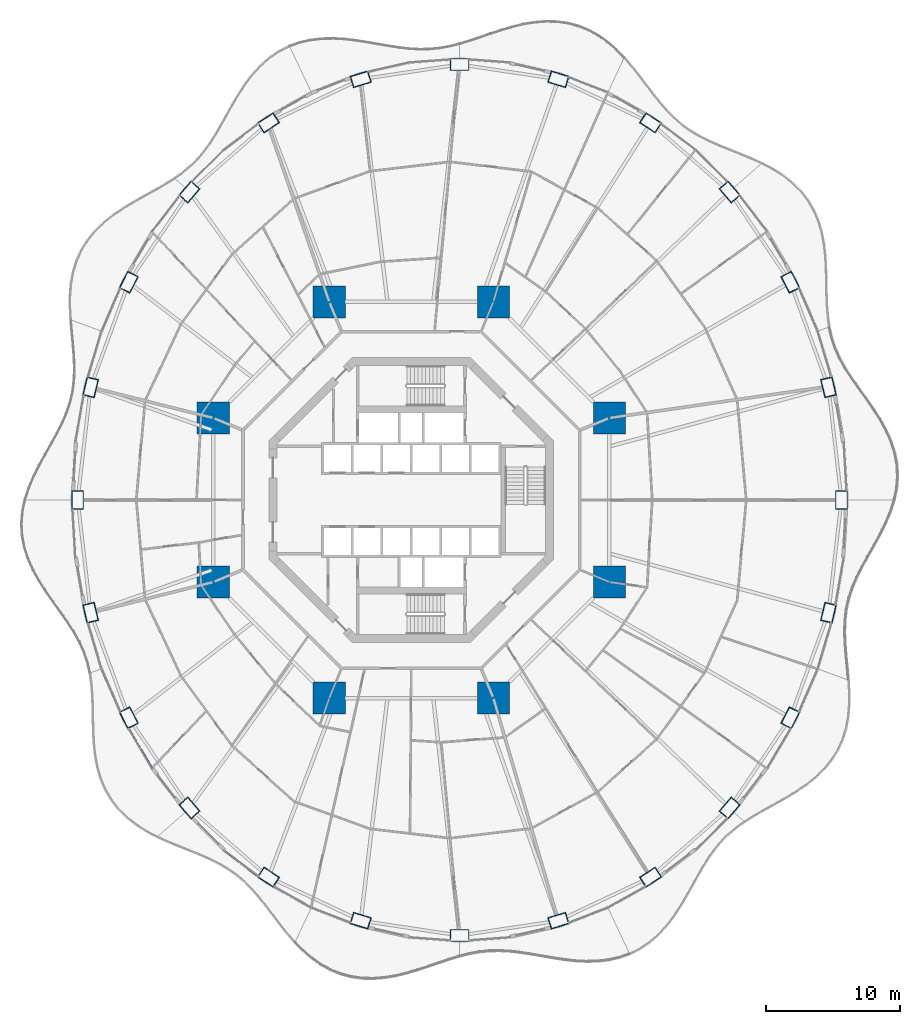
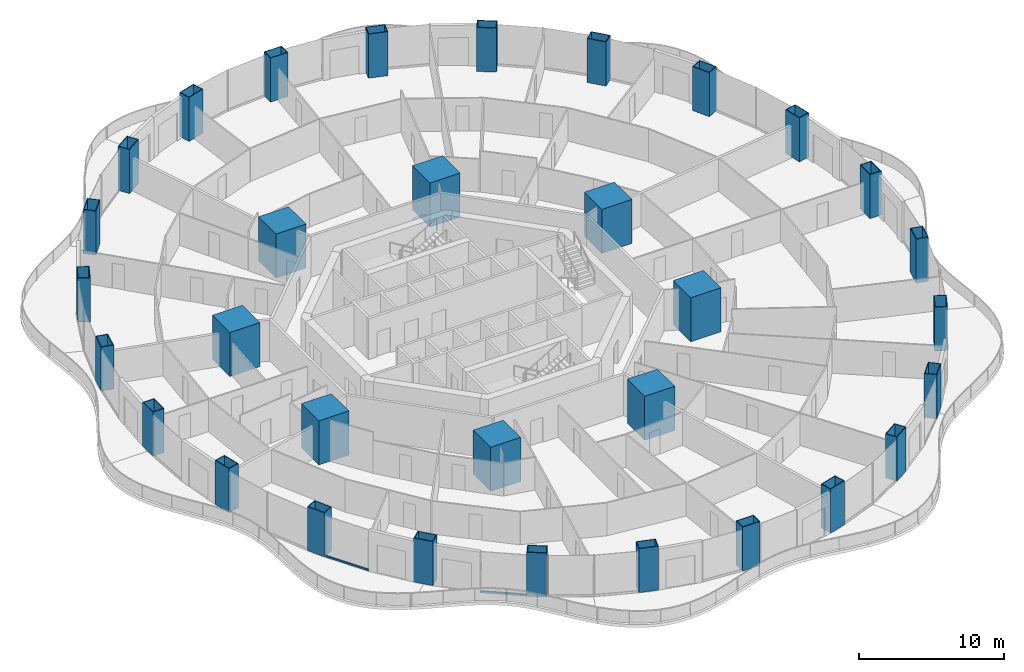
# One storey, part 1 of 22: 32 columns, 2 members, 2 elements without a shape of their own.
"""IFC4 building model written with IfcOpenShell, lengths in metres."""

import ifcopenshell
import ifcopenshell.guid

model = None  # the IFC model being written
_history = None  # IfcOwnerHistory: only IFC2X3 demands one
_inside = {}  # id of a spatial element -> (the spatial element, [elements in it])
_under = {}  # id of a project, library or spatial element -> (it, [spatial elements below it])
_declared = {}  # id of a project -> (the project, [libraries it declares])
_typed = {}  # id of a type object -> (the type object, [elements of that type])
_made_of = {}  # id of a material, layer set ... -> (it, [elements and type objects made of it])


def new_model(schema):
    """Start an empty IFC model of exactly this schema.

    Asked for "IFC4X3", IfcOpenShell would pick the latest addendum, in which some entities
    have other attributes; the version numbers below select the first issue.
    IFC2X3 requires an IfcOwnerHistory on every rooted entity: one is made here for all.
    """
    global model, _history
    if schema == "IFC4X3":
        model = ifcopenshell.file(schema_version=(4, 3, 0, 0))
    else:
        model = ifcopenshell.file(schema=schema)
    _inside.clear()
    _under.clear()
    _declared.clear()
    _typed.clear()
    _made_of.clear()
    _history = None
    if model.schema == "IFC2X3":
        org = make("IfcOrganization", Name="unknown")
        user = make(
            "IfcPersonAndOrganization",
            ThePerson=make("IfcPerson", FamilyName="unknown"),
            TheOrganization=org,
        )
        app = make(
            "IfcApplication",
            ApplicationDeveloper=org,
            Version="unknown",
            ApplicationFullName="unknown",
            ApplicationIdentifier="unknown",
        )
        _history = make(
            "IfcOwnerHistory",
            OwningUser=user,
            OwningApplication=app,
            ChangeAction="ADDED",
            CreationDate=0,
        )
    return model


def make(cls, **values):
    """One entity of the class cls with the attributes given. An attribute that is None is left unset."""
    return model.create_entity(
        cls, **{name: value for name, value in values.items() if value is not None}
    )


def rooted(cls, **values):
    """An entity with a GlobalId (a new one), such as an element, a storey or a relation."""
    return make(cls, GlobalId=ifcopenshell.guid.new(), OwnerHistory=_history, **values)


def si_unit(unit_type, name, prefix=None):
    """IfcSIUnit, for example si_unit("LENGTHUNIT", "METRE", prefix="MILLI")."""
    return make("IfcSIUnit", UnitType=unit_type, Prefix=prefix, Name=name)


def assignment(units):
    """IfcUnitAssignment: the units of a project."""
    return None if units is None else make("IfcUnitAssignment", Units=units)


def point(xyz):
    """IfcCartesianPoint."""
    return None if xyz is None else make("IfcCartesianPoint", Coordinates=xyz)


def direction(xyz):
    """IfcDirection."""
    return None if xyz is None else make("IfcDirection", DirectionRatios=xyz)


def frame(location, z_axis=None, x_axis=None):
    """IfcAxis2Placement3D, a coordinate frame: its origin and axes. An axis left out is left unset."""
    return make(
        "IfcAxis2Placement3D",
        Location=point(location),
        Axis=direction(z_axis),
        RefDirection=direction(x_axis),
    )


def frame_2d(location, x_axis=None):
    """IfcAxis2Placement2D, a coordinate frame in the plane: its origin and x axis."""
    return make(
        "IfcAxis2Placement2D", Location=point(location), RefDirection=direction(x_axis)
    )


def origin():
    """The frame at (0, 0, 0) with its axes left unset."""
    return frame((0.0, 0.0, 0.0))


def origin_2d():
    """The frame at (0, 0) in the plane with its x axis left unset."""
    return frame_2d((0.0, 0.0))


def place(relative_to, where):
    """IfcLocalPlacement: puts the frame where relative to a parent placement (None: the world)."""
    return make(
        "IfcLocalPlacement", PlacementRelTo=relative_to, RelativePlacement=where
    )


def context(
    kind, dimensions, precision=None, world=None, true_north=None, identifier=None
):
    """IfcGeometricRepresentationContext, for example the 3D "Model" context."""
    return make(
        "IfcGeometricRepresentationContext",
        ContextIdentifier=identifier,
        ContextType=kind,
        CoordinateSpaceDimension=dimensions,
        Precision=precision,
        WorldCoordinateSystem=world,
        TrueNorth=true_north,
    )


def subcontext(parent, identifier, kind, view, scale=None):
    """IfcGeometricRepresentationSubContext, for example "Body" below "Model"."""
    return make(
        "IfcGeometricRepresentationSubContext",
        ContextIdentifier=identifier,
        ContextType=kind,
        ParentContext=parent,
        TargetScale=scale,
        TargetView=view,
    )


def project(units=None, contexts=None):
    """IfcProject with its units and contexts."""
    return rooted(
        "IfcProject",
        Name="project",
        RepresentationContexts=contexts,
        UnitsInContext=assignment(units),
    )


def spatial(cls, under=None, at=None, **own):
    """A site, building, storey or space (cls), placed at a placement, below another one or the project."""
    s = rooted(cls, ObjectPlacement=at, **own)
    if under is not None:
        _under.setdefault(under.id(), (under, []))[1].append(s)
    return s


def profile(cls, at=None, kind="AREA", **sizes):
    """A parametric profile (cls). Its sizes go by their IFC names, for example OverallWidth=200.0."""
    return make(cls, ProfileType=kind, Position=at, **sizes)


def rectangle(**sizes):
    """IfcRectangleProfileDef."""
    return profile("IfcRectangleProfileDef", **sizes)


def hollow_rectangle(**sizes):
    """IfcRectangleHollowProfileDef."""
    return profile("IfcRectangleHollowProfileDef", **sizes)


def extrude(swept, where, along, depth):
    """IfcExtrudedAreaSolid: the profile swept, set in the frame where, extruded along a direction by depth."""
    return make(
        "IfcExtrudedAreaSolid",
        SweptArea=swept,
        Position=where,
        ExtrudedDirection=direction(along),
        Depth=depth,
    )


def shape(context_of_items, identifier, shape_type, items):
    """IfcShapeRepresentation: the items that make up one representation, for example the "Body"."""
    return make(
        "IfcShapeRepresentation",
        ContextOfItems=context_of_items,
        RepresentationIdentifier=identifier,
        RepresentationType=shape_type,
        Items=items,
    )


def material(Name=None, Category=None):
    """IfcMaterial."""
    return make("IfcMaterial", Name=Name, Category=Category)


def layer(
    of_material, thickness, ventilated=None, Name=None, Category=None, Priority=None
):
    """IfcMaterialLayer: one layer of a wall or slab, of a material (None: an air gap)."""
    return make(
        "IfcMaterialLayer",
        Material=of_material,
        LayerThickness=thickness,
        IsVentilated=ventilated,
        Name=Name,
        Category=Category,
        Priority=Priority,
    )


def layer_set(layers, Name=None):
    """IfcMaterialLayerSet."""
    return make("IfcMaterialLayerSet", MaterialLayers=layers, LayerSetName=Name)


def material_profile(
    of_material, cross_section, Name=None, Category=None, Priority=None
):
    """IfcMaterialProfile: a cross section and its material."""
    return make(
        "IfcMaterialProfile",
        Name=Name,
        Material=of_material,
        Profile=cross_section,
        Priority=Priority,
        Category=Category,
    )


def profile_set(profiles, Name=None, composite=None):
    """IfcMaterialProfileSet."""
    return make(
        "IfcMaterialProfileSet",
        Name=Name,
        MaterialProfiles=profiles,
        CompositeProfile=composite,
    )


def made_of(thing, what):
    """Note that an element or type object is made of a material, layer set ...; save() writes the relation."""
    if what is not None:
        _made_of.setdefault(what.id(), (what, []))[1].append(thing)
    return thing


def type_object(cls, material=None, **own):
    """A type object (cls), such as IfcWallType, which elements share."""
    return made_of(rooted(cls, **own), material)


def element(
    cls,
    number,
    at=None,
    inside=None,
    cuts=None,
    type_object=None,
    material=None,
    context=None,
    identifier="Body",
    shape_type=None,
    held_by="IfcProductDefinitionShape",
    body=None,
    shapes=None,
    **own,
):
    """One element of the class cls, such as IfcWall. Its Tag is "e" and its number.

    at: its placement. inside: the storey or other place that contains it. cuts: it is an
    opening in that element (IfcRelVoidsElement). A single representation is given by context,
    identifier, shape_type and body (its items); several are given by shapes. held_by: the class
    of the entity that holds the representations. save() writes the other relations.
    """
    e = rooted(cls, Tag="e%d" % number, ObjectPlacement=at, **own)
    if body is not None:
        shapes = [shape(context, identifier, shape_type, body)]
    if shapes is not None:
        e.Representation = make(held_by, Representations=shapes)
    if inside is not None:
        _inside.setdefault(inside.id(), (inside, []))[1].append(e)
    if cuts is not None:
        rooted(
            "IfcRelVoidsElement", RelatingBuildingElement=cuts, RelatedOpeningElement=e
        )
    if type_object is not None:
        _typed.setdefault(type_object.id(), (type_object, []))[1].append(e)
    return made_of(e, material)


def aggregate(whole, parts):
    """IfcRelAggregates: a whole, such as a stair, and the parts it consists of."""
    return rooted("IfcRelAggregates", RelatingObject=whole, RelatedObjects=parts)


def save(model, path):
    """Write the relations noted so far, then the file.

    IfcRelAggregates (storeys below a building ...), IfcRelContainedInSpatialStructure (elements
    in a storey), IfcRelDefinesByType, IfcRelAssociatesMaterial and IfcRelDeclares: one each for
    every whole, place, type object, material and project.
    """
    for whole, parts in _under.values():
        aggregate(whole, parts)
    for where, things in _inside.values():
        rooted(
            "IfcRelContainedInSpatialStructure",
            RelatedElements=things,
            RelatingStructure=where,
        )
    for kind, things in _typed.values():
        rooted("IfcRelDefinesByType", RelatedObjects=things, RelatingType=kind)
    for what, things in _made_of.values():
        rooted("IfcRelAssociatesMaterial", RelatedObjects=things, RelatingMaterial=what)
    for by, libraries in _declared.values():
        rooted("IfcRelDeclares", RelatingContext=by, RelatedDefinitions=libraries)
    model.write(path)


model = new_model("IFC4")

# Units and contexts
model_context = context("Model", 3, precision=1e-05, world=origin(), true_north=direction((0.0, 1.0)))
body_context = subcontext(model_context, "Body", "Model", "MODEL_VIEW")
ifc_project = project(units=[si_unit("LENGTHUNIT", "METRE"), si_unit("AREAUNIT", "SQUARE_METRE"), si_unit("VOLUMEUNIT", "CUBIC_METRE"), si_unit("PLANEANGLEUNIT", "RADIAN"), si_unit("MASSUNIT", "GRAM", prefix="KILO")], contexts=[model_context])

# Site, building, storey
site_placement = place(None, origin())
site = spatial("IfcSite", under=ifc_project, at=site_placement, CompositionType="ELEMENT")
building_placement = place(site_placement, origin())
building = spatial("IfcBuilding", under=site, at=building_placement, Name="Nagisa Residences", CompositionType="ELEMENT")
storey_placement = place(building_placement, frame((0.0, 0.0, 52.89990234375)))
storey = spatial("IfcBuildingStorey", under=building, at=storey_placement, Name="L12", CompositionType="ELEMENT", Elevation=52.89990234375)

# Columns
ifc_material_1 = material(Name="Concrete C80", Category="concrete")
ifc_material_profile_1 = material_profile(ifc_material_1, rectangle(XDim=2.39990234375, YDim=2.39990234375, at=origin_2d()), Name="C80 2400x2400")
ifc_profile_set_1 = profile_set([ifc_material_profile_1], Name="Concrete C80")
column_type_1 = type_object("IfcColumnType", Name="Inner megacolumn C80 2400x2400", PredefinedType="COLUMN", material=ifc_profile_set_1)
for number, where, z_axis, x_axis, name in (
    (1, (14.781982421875, 6.123046875, 0.0), (0.0, 0.0, 1.0), (1.0, 0.0, 0.0), "col:L12:i1"),
    (2, (6.123046875, 14.781982421875, 0.0), (0.0, 0.0, 1.0), (1.0, 0.0, 0.0), "col:L12:i2"),
    (3, (-6.123046875, 14.781982421875, 0.0), (0.0, 0.0, 1.0), (1.0, 0.0, 0.0), "col:L12:i3"),
    (4, (-14.781982421875, 6.123046875, 0.0), (0.0, 0.0, 1.0), (1.0, 0.0, 0.0), "col:L12:i4"),
    (5, (-14.781982421875, -6.123046875, 0.0), (0.0, 0.0, 1.0), (1.0, 0.0, 0.0), "col:L12:i5"),
    (6, (-6.123046875, -14.781982421875, 0.0), (0.0, 0.0, 1.0), (1.0, 0.0, 0.0), "col:L12:i6"),
    (7, (6.123046875, -14.781982421875, 0.0), (0.0, 0.0, 1.0), (1.0, 0.0, 0.0), "col:L12:i7"),
    (8, (14.781982421875, -6.123046875, 0.0), (0.0, 0.0, 1.0), (1.0, 0.0, 0.0), "col:L12:i8"),
):
    element("IfcColumn", number, at=place(storey_placement, frame(where, z_axis=z_axis, x_axis=x_axis)), inside=storey, type_object=column_type_1, Name=name, PredefinedType="COLUMN", context=body_context, shape_type="SweptSolid", body=[
        extrude(rectangle(XDim=2.39990234375, YDim=2.39990234375, at=origin_2d()), origin(), (0.0, 0.0, 1.0), 3.7001953125),
    ])
ifc_material_2 = material(Name="Steel ASTM A572 Gr 50", Category="steel")
ifc_material_profile_2 = material_profile(ifc_material_2, hollow_rectangle(XDim=1.39990234375, YDim=0.89990234375, WallThickness=0.050048828125, at=origin_2d()), Name="BX 1400x900x50")
ifc_profile_set_2 = profile_set([ifc_material_profile_2], Name="Steel ASTM A572 Gr 50")
column_type_2 = type_object("IfcColumnType", Name="Perimeter column BX 1400x900x50", PredefinedType="COLUMN", material=ifc_profile_set_2)
for number, where, z_axis, x_axis, name in (
    (9, (32.10009765625, 0.0, 0.0), (0.0, 0.0, 1.0), (0.0, 1.0, 0.0), "col:L12:p00"),
    (10, (31.12890625, 8.41162109375, 0.0), (0.0, 0.0, 1.0), (-0.229202013103, 0.973378876486, 0.0), "col:L12:p01"),
    (11, (28.28173828125, 16.25, 0.0), (0.0, 0.0, 1.0), (-0.452462697578, 0.891783329795, 0.0), "col:L12:p02"),
    (12, (23.75244140625, 22.98095703125, 0.0), (0.0, 0.0, 1.0), (-0.660114607735, 0.751164898445, 0.0), "col:L12:p03"),
    (13, (17.85009765625, 28.145751953125, 0.0), (0.0, 0.0, 1.0), (-0.835766105673, 0.54908561865, 0.0), "col:L12:p04"),
    (14, (10.976318359375, 31.392578125, 0.0), (0.0, 0.0, 1.0), (-0.956524583408, 0.291651712384, 0.0), "col:L12:p05"),
    (15, (3.60009765625, 32.5, 0.0), (0.0, 0.0, 1.0), (-1.0, 0.0, 0.0), "col:L12:p06"),
    (16, (-3.7763671875, 31.392578125, 0.0), (0.0, 0.0, 1.0), (-0.956524583408, -0.291651712384, 0.0), "col:L12:p07"),
    (17, (-10.64990234375, 28.145751953125, 0.0), (0.0, 0.0, 1.0), (-0.835766105673, -0.54908561865, 0.0), "col:L12:p08"),
    (18, (-16.552490234375, 22.98095703125, 0.0), (0.0, 0.0, 1.0), (-0.660114607735, -0.751164898445, 0.0), "col:L12:p09"),
    (19, (-21.081787109375, 16.25, 0.0), (0.0, 0.0, 1.0), (-0.452462697578, -0.891783329795, 0.0), "col:L12:p10"),
    (20, (-23.928955078125, 8.41162109375, 0.0), (0.0, 0.0, 1.0), (-0.229202013103, -0.973378876486, 0.0), "col:L12:p11"),
    (21, (-24.89990234375, 0.0, 0.0), (0.0, 0.0, 1.0), (0.0, -1.0, 0.0), "col:L12:p12"),
    (22, (-23.928955078125, -8.41162109375, 0.0), (0.0, 0.0, 1.0), (0.229202013103, -0.973378876486, 0.0), "col:L12:p13"),
    (23, (-21.081787109375, -16.25, 0.0), (0.0, 0.0, 1.0), (0.452462697578, -0.891783329795, 0.0), "col:L12:p14"),
    (24, (-16.552490234375, -22.98095703125, 0.0), (0.0, 0.0, 1.0), (0.660114607735, -0.751164898445, 0.0), "col:L12:p15"),
    (25, (-10.64990234375, -28.145751953125, 0.0), (0.0, 0.0, 1.0), (0.835766105673, -0.54908561865, 0.0), "col:L12:p16"),
    (26, (-3.7763671875, -31.392578125, 0.0), (0.0, 0.0, 1.0), (0.956524583408, -0.291651712384, 0.0), "col:L12:p17"),
    (27, (3.60009765625, -32.5, 0.0), (0.0, 0.0, 1.0), (1.0, 0.0, 0.0), "col:L12:p18"),
    (28, (10.976318359375, -31.392578125, 0.0), (0.0, 0.0, 1.0), (0.956524583408, 0.291651712384, 0.0), "col:L12:p19"),
    (29, (17.85009765625, -28.145751953125, 0.0), (0.0, 0.0, 1.0), (0.835766105673, 0.54908561865, 0.0), "col:L12:p20"),
    (30, (23.75244140625, -22.98095703125, 0.0), (0.0, 0.0, 1.0), (0.660114607735, 0.751164898445, 0.0), "col:L12:p21"),
    (31, (28.28173828125, -16.25, 0.0), (0.0, 0.0, 1.0), (0.452462697578, 0.891783329795, 0.0), "col:L12:p22"),
    (32, (31.12890625, -8.41162109375, 0.0), (0.0, 0.0, 1.0), (0.229202013103, 0.973378876486, 0.0), "col:L12:p23"),
):
    element("IfcColumn", number, at=place(storey_placement, frame(where, z_axis=z_axis, x_axis=x_axis)), inside=storey, type_object=column_type_2, Name=name, PredefinedType="COLUMN", context=body_context, shape_type="SweptSolid", body=[
        extrude(hollow_rectangle(XDim=1.39990234375, YDim=0.89990234375, WallThickness=0.050048828125, at=origin_2d()), origin(), (0.0, 0.0, 1.0), 3.7001953125),
    ])

# Curtain wall, member
ifc_material_3 = material(Name="Concrete-coloured aluminium curtain wall system", Category="concrete")
ifc_layer = layer(ifc_material_3, 0.159912109375)
ifc_layer_set = layer_set([ifc_layer], Name="CW1 CURTAIN WALL")
curtain_wall_type = type_object("IfcCurtainWallType", Name="CW1 CURTAIN WALL", PredefinedType="NOTDEFINED", material=ifc_layer_set)
curtain_wall_1_placement = place(storey_placement, origin())
curtain_wall_1 = element("IfcCurtainWall", 33, at=curtain_wall_1_placement, inside=storey, type_object=curtain_wall_type, Name="cw:CW1:L12:28", PredefinedType="NOTDEFINED")
ifc_material_4 = material(Name="Concrete-coloured aluminium", Category="concrete")
ifc_material_profile_3 = material_profile(ifc_material_4, rectangle(XDim=0.1201171875, YDim=0.14990234375, at=origin_2d()), Name="CW1 TRANSOM 120x150")
ifc_profile_set_3 = profile_set([ifc_material_profile_3], Name="Concrete-coloured aluminium")
member_type = type_object("IfcMemberType", Name="CW1 TRANSOM 120x150", PredefinedType="USERDEFINED", material=ifc_profile_set_3)
member_1_placement = place(storey_placement, frame((-21.09130859375, -17.063232421875, 0.0751953125), z_axis=(0.506341951316, -0.862332782827, 0.0), x_axis=(0.862332782827, 0.506341951316, 0.0)))
member_1 = element("IfcMember", 34, at=member_1_placement, type_object=member_type, Name="CW1 transom", ObjectType="TRANSOM", PredefinedType="USERDEFINED", context=body_context, shape_type="SweptSolid", body=[
    extrude(rectangle(XDim=0.1201171875, YDim=0.14990234375, at=origin_2d()), origin(), (0.0, 0.0, 1.0), 3.4619140625),
])
aggregate(curtain_wall_1, [member_1])

curtain_wall_2_placement = place(storey_placement, origin())
curtain_wall_2 = element("IfcCurtainWall", 35, at=curtain_wall_2_placement, inside=storey, type_object=curtain_wall_type, Name="cw:CW1:L12:31", PredefinedType="NOTDEFINED")
member_2_placement = place(storey_placement, frame((-14.005615234375, -26.116943359375, 0.0751953125), z_axis=(0.796022293214, -0.605267303517, 0.0), x_axis=(0.605267303517, 0.796022293214, 0.0)))
member_2 = element("IfcMember", 36, at=member_2_placement, type_object=member_type, Name="CW1 transom", ObjectType="TRANSOM", PredefinedType="USERDEFINED", context=body_context, shape_type="SweptSolid", body=[
    extrude(rectangle(XDim=0.1201171875, YDim=0.14990234375, at=origin_2d()), origin(), (0.0, 0.0, 1.0), 3.262451171875),
])
aggregate(curtain_wall_2, [member_2])

save(model, "model.ifc")
